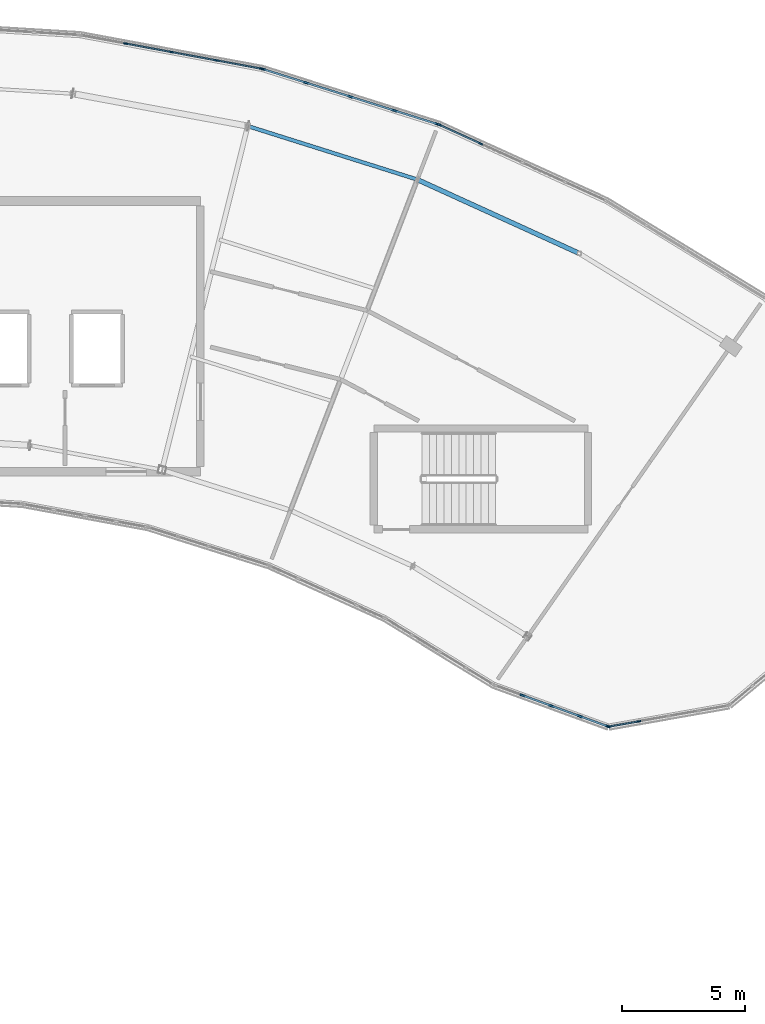
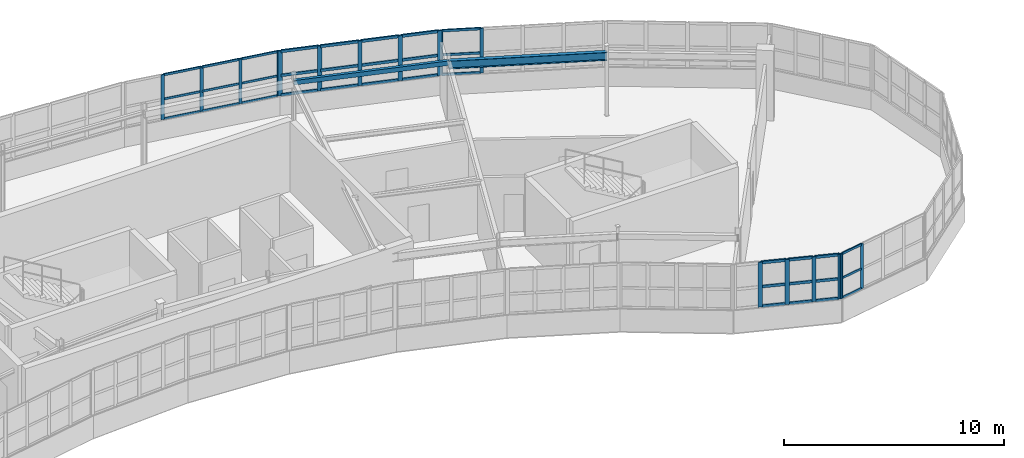
# One storey, part 33 of 60: 53 members, 2 beams, 5 elements without a shape of their own.
"""IFC4 building model written with IfcOpenShell, lengths in metres."""

import ifcopenshell
import ifcopenshell.guid

model = None  # the IFC model being written
_history = None  # IfcOwnerHistory: only IFC2X3 demands one
_inside = {}  # id of a spatial element -> (the spatial element, [elements in it])
_under = {}  # id of a project, library or spatial element -> (it, [spatial elements below it])
_declared = {}  # id of a project -> (the project, [libraries it declares])
_typed = {}  # id of a type object -> (the type object, [elements of that type])
_made_of = {}  # id of a material, layer set ... -> (it, [elements and type objects made of it])


def new_model(schema):
    """Start an empty IFC model of exactly this schema.

    Asked for "IFC4X3", IfcOpenShell would pick the latest addendum, in which some entities
    have other attributes; the version numbers below select the first issue.
    IFC2X3 requires an IfcOwnerHistory on every rooted entity: one is made here for all.
    """
    global model, _history
    if schema == "IFC4X3":
        model = ifcopenshell.file(schema_version=(4, 3, 0, 0))
    else:
        model = ifcopenshell.file(schema=schema)
    _inside.clear()
    _under.clear()
    _declared.clear()
    _typed.clear()
    _made_of.clear()
    _history = None
    if model.schema == "IFC2X3":
        org = make("IfcOrganization", Name="unknown")
        user = make(
            "IfcPersonAndOrganization",
            ThePerson=make("IfcPerson", FamilyName="unknown"),
            TheOrganization=org,
        )
        app = make(
            "IfcApplication",
            ApplicationDeveloper=org,
            Version="unknown",
            ApplicationFullName="unknown",
            ApplicationIdentifier="unknown",
        )
        _history = make(
            "IfcOwnerHistory",
            OwningUser=user,
            OwningApplication=app,
            ChangeAction="ADDED",
            CreationDate=0,
        )
    return model


def make(cls, **values):
    """One entity of the class cls with the attributes given. An attribute that is None is left unset."""
    return model.create_entity(
        cls, **{name: value for name, value in values.items() if value is not None}
    )


def rooted(cls, **values):
    """An entity with a GlobalId (a new one), such as an element, a storey or a relation."""
    return make(cls, GlobalId=ifcopenshell.guid.new(), OwnerHistory=_history, **values)


def si_unit(unit_type, name, prefix=None):
    """IfcSIUnit, for example si_unit("LENGTHUNIT", "METRE", prefix="MILLI")."""
    return make("IfcSIUnit", UnitType=unit_type, Prefix=prefix, Name=name)


def assignment(units):
    """IfcUnitAssignment: the units of a project."""
    return None if units is None else make("IfcUnitAssignment", Units=units)


def point(xyz):
    """IfcCartesianPoint."""
    return None if xyz is None else make("IfcCartesianPoint", Coordinates=xyz)


def direction(xyz):
    """IfcDirection."""
    return None if xyz is None else make("IfcDirection", DirectionRatios=xyz)


def frame(location, z_axis=None, x_axis=None):
    """IfcAxis2Placement3D, a coordinate frame: its origin and axes. An axis left out is left unset."""
    return make(
        "IfcAxis2Placement3D",
        Location=point(location),
        Axis=direction(z_axis),
        RefDirection=direction(x_axis),
    )


def frame_2d(location, x_axis=None):
    """IfcAxis2Placement2D, a coordinate frame in the plane: its origin and x axis."""
    return make(
        "IfcAxis2Placement2D", Location=point(location), RefDirection=direction(x_axis)
    )


def origin():
    """The frame at (0, 0, 0) with its axes left unset."""
    return frame((0.0, 0.0, 0.0))


def origin_2d():
    """The frame at (0, 0) in the plane with its x axis left unset."""
    return frame_2d((0.0, 0.0))


def place(relative_to, where):
    """IfcLocalPlacement: puts the frame where relative to a parent placement (None: the world)."""
    return make(
        "IfcLocalPlacement", PlacementRelTo=relative_to, RelativePlacement=where
    )


def context(
    kind, dimensions, precision=None, world=None, true_north=None, identifier=None
):
    """IfcGeometricRepresentationContext, for example the 3D "Model" context."""
    return make(
        "IfcGeometricRepresentationContext",
        ContextIdentifier=identifier,
        ContextType=kind,
        CoordinateSpaceDimension=dimensions,
        Precision=precision,
        WorldCoordinateSystem=world,
        TrueNorth=true_north,
    )


def subcontext(parent, identifier, kind, view, scale=None):
    """IfcGeometricRepresentationSubContext, for example "Body" below "Model"."""
    return make(
        "IfcGeometricRepresentationSubContext",
        ContextIdentifier=identifier,
        ContextType=kind,
        ParentContext=parent,
        TargetScale=scale,
        TargetView=view,
    )


def project(units=None, contexts=None):
    """IfcProject with its units and contexts."""
    return rooted(
        "IfcProject",
        Name="project",
        RepresentationContexts=contexts,
        UnitsInContext=assignment(units),
    )


def spatial(cls, under=None, at=None, **own):
    """A site, building, storey or space (cls), placed at a placement, below another one or the project."""
    s = rooted(cls, ObjectPlacement=at, **own)
    if under is not None:
        _under.setdefault(under.id(), (under, []))[1].append(s)
    return s


def profile(cls, at=None, kind="AREA", **sizes):
    """A parametric profile (cls). Its sizes go by their IFC names, for example OverallWidth=200.0."""
    return make(cls, ProfileType=kind, Position=at, **sizes)


def rectangle(**sizes):
    """IfcRectangleProfileDef."""
    return profile("IfcRectangleProfileDef", **sizes)


def hollow_rectangle(**sizes):
    """IfcRectangleHollowProfileDef."""
    return profile("IfcRectangleHollowProfileDef", **sizes)


def i_section(**sizes):
    """IfcIShapeProfileDef."""
    return profile("IfcIShapeProfileDef", **sizes)


def extrude(swept, where, along, depth):
    """IfcExtrudedAreaSolid: the profile swept, set in the frame where, extruded along a direction by depth."""
    return make(
        "IfcExtrudedAreaSolid",
        SweptArea=swept,
        Position=where,
        ExtrudedDirection=direction(along),
        Depth=depth,
    )


def shape(context_of_items, identifier, shape_type, items):
    """IfcShapeRepresentation: the items that make up one representation, for example the "Body"."""
    return make(
        "IfcShapeRepresentation",
        ContextOfItems=context_of_items,
        RepresentationIdentifier=identifier,
        RepresentationType=shape_type,
        Items=items,
    )


def material(Name=None, Category=None):
    """IfcMaterial."""
    return make("IfcMaterial", Name=Name, Category=Category)


def layer(
    of_material, thickness, ventilated=None, Name=None, Category=None, Priority=None
):
    """IfcMaterialLayer: one layer of a wall or slab, of a material (None: an air gap)."""
    return make(
        "IfcMaterialLayer",
        Material=of_material,
        LayerThickness=thickness,
        IsVentilated=ventilated,
        Name=Name,
        Category=Category,
        Priority=Priority,
    )


def layer_set(layers, Name=None):
    """IfcMaterialLayerSet."""
    return make("IfcMaterialLayerSet", MaterialLayers=layers, LayerSetName=Name)


def material_profile(
    of_material, cross_section, Name=None, Category=None, Priority=None
):
    """IfcMaterialProfile: a cross section and its material."""
    return make(
        "IfcMaterialProfile",
        Name=Name,
        Material=of_material,
        Profile=cross_section,
        Priority=Priority,
        Category=Category,
    )


def profile_set(profiles, Name=None, composite=None):
    """IfcMaterialProfileSet."""
    return make(
        "IfcMaterialProfileSet",
        Name=Name,
        MaterialProfiles=profiles,
        CompositeProfile=composite,
    )


def made_of(thing, what):
    """Note that an element or type object is made of a material, layer set ...; save() writes the relation."""
    if what is not None:
        _made_of.setdefault(what.id(), (what, []))[1].append(thing)
    return thing


def type_object(cls, material=None, **own):
    """A type object (cls), such as IfcWallType, which elements share."""
    return made_of(rooted(cls, **own), material)


def element(
    cls,
    number,
    at=None,
    inside=None,
    cuts=None,
    type_object=None,
    material=None,
    context=None,
    identifier="Body",
    shape_type=None,
    held_by="IfcProductDefinitionShape",
    body=None,
    shapes=None,
    **own,
):
    """One element of the class cls, such as IfcWall. Its Tag is "e" and its number.

    at: its placement. inside: the storey or other place that contains it. cuts: it is an
    opening in that element (IfcRelVoidsElement). A single representation is given by context,
    identifier, shape_type and body (its items); several are given by shapes. held_by: the class
    of the entity that holds the representations. save() writes the other relations.
    """
    e = rooted(cls, Tag="e%d" % number, ObjectPlacement=at, **own)
    if body is not None:
        shapes = [shape(context, identifier, shape_type, body)]
    if shapes is not None:
        e.Representation = make(held_by, Representations=shapes)
    if inside is not None:
        _inside.setdefault(inside.id(), (inside, []))[1].append(e)
    if cuts is not None:
        rooted(
            "IfcRelVoidsElement", RelatingBuildingElement=cuts, RelatedOpeningElement=e
        )
    if type_object is not None:
        _typed.setdefault(type_object.id(), (type_object, []))[1].append(e)
    return made_of(e, material)


def aggregate(whole, parts):
    """IfcRelAggregates: a whole, such as a stair, and the parts it consists of."""
    return rooted("IfcRelAggregates", RelatingObject=whole, RelatedObjects=parts)


def save(model, path):
    """Write the relations noted so far, then the file.

    IfcRelAggregates (storeys below a building ...), IfcRelContainedInSpatialStructure (elements
    in a storey), IfcRelDefinesByType, IfcRelAssociatesMaterial and IfcRelDeclares: one each for
    every whole, place, type object, material and project.
    """
    for whole, parts in _under.values():
        aggregate(whole, parts)
    for where, things in _inside.values():
        rooted(
            "IfcRelContainedInSpatialStructure",
            RelatedElements=things,
            RelatingStructure=where,
        )
    for kind, things in _typed.values():
        rooted("IfcRelDefinesByType", RelatedObjects=things, RelatingType=kind)
    for what, things in _made_of.values():
        rooted("IfcRelAssociatesMaterial", RelatedObjects=things, RelatingMaterial=what)
    for by, libraries in _declared.values():
        rooted("IfcRelDeclares", RelatingContext=by, RelatedDefinitions=libraries)
    model.write(path)


model = new_model("IFC4")

# Units and contexts
model_context = context("Model", 3, precision=1e-05, world=origin(), true_north=direction((0.0, 1.0)))
body_context = subcontext(model_context, "Body", "Model", "MODEL_VIEW")
ifc_project = project(units=[si_unit("LENGTHUNIT", "METRE"), si_unit("AREAUNIT", "SQUARE_METRE"), si_unit("VOLUMEUNIT", "CUBIC_METRE"), si_unit("PLANEANGLEUNIT", "RADIAN"), si_unit("MASSUNIT", "GRAM", prefix="KILO")], contexts=[model_context])

# Site, building, storey
site_placement = place(None, origin())
site = spatial("IfcSite", under=ifc_project, at=site_placement, CompositionType="ELEMENT")
building_placement = place(site_placement, origin())
building = spatial("IfcBuilding", under=site, at=building_placement, Name="Tarnwether General Hospital", CompositionType="ELEMENT")
storey_placement = place(building_placement, frame((0.0, 0.0, 26.10009765625)))
storey = spatial("IfcBuildingStorey", under=building, at=storey_placement, Name="L06", CompositionType="ELEMENT", Elevation=26.10009765625)

# Beams
ifc_material_1 = material(Name="Steel Grade 350 (350 MPa)", Category="steel")
ifc_material_profile_1 = material_profile(ifc_material_1, i_section(OverallWidth=0.18994140625, OverallDepth=0.4541015625, WebThickness=0.008544921875, FlangeThickness=0.0126953125, at=origin_2d()), Name="460UB67.1")
ifc_profile_set_1 = profile_set([ifc_material_profile_1], Name="Steel Grade 350 (350 MPa)")
beam_type_1 = type_object("IfcBeamType", Name="BM-SP1", PredefinedType="SPANDREL", material=ifc_profile_set_1)
beam_1_placement = place(storey_placement, frame((113.215087890625, 118.26806640625, 3.31787109375), z_axis=(0.909943842177, -0.414731484316, 0.0), x_axis=(0.414731484316, 0.909943842177, 0.0)))
element("IfcBeam", 1, at=beam_1_placement, inside=storey, type_object=beam_type_1, Name="Curved Ward NW Outer Spandrel BMG-L06-11322_11827-11979_11527-2041", PredefinedType="SPANDREL", context=body_context, shape_type="SweptSolid", body=[
    extrude(i_section(OverallWidth=0.18994140625, OverallDepth=0.4541015625, WebThickness=0.008544921875, FlangeThickness=0.0126953125, at=origin_2d()), origin(), (0.0, 0.0, 1.0), 7.22900390625),
])
ifc_material_2 = material(Name="Steel Grade C350L0 (350 MPa)", Category="steel")
ifc_material_profile_2 = material_profile(ifc_material_2, hollow_rectangle(XDim=0.14990234375, YDim=0.25, WallThickness=0.008056640625, at=origin_2d()), Name="RHS250x150x8")
ifc_profile_set_2 = profile_set([ifc_material_profile_2], Name="Steel Grade C350L0 (350 MPa)")
beam_type_2 = type_object("IfcBeamType", Name="BM-SP8", PredefinedType="SPANDREL", material=ifc_profile_set_2)
beam_2_placement = place(storey_placement, frame((106.322021484375, 120.44189453125, 3.419921875), z_axis=(0.953698988948, -0.300762761125, 0.0), x_axis=(0.300762761125, 0.953698988948, 0.0)))
element("IfcBeam", 2, at=beam_2_placement, inside=storey, type_object=beam_type_2, Name="Curved Ward NW Outer Spandrel BMG-L06-10632_12044-11322_11827-2037", PredefinedType="SPANDREL", context=body_context, shape_type="SweptSolid", body=[
    extrude(hollow_rectangle(XDim=0.14990234375, YDim=0.25, WallThickness=0.008056640625, at=origin_2d()), origin(), (0.0, 0.0, 1.0), 7.227783203125),
])

# Curtain wall, members
ifc_material_3 = material(Name="Anodised aluminium", Category="aluminium")
ifc_layer_1 = layer(ifc_material_3, 0.159912109375)
ifc_layer_set_1 = layer_set([ifc_layer_1], Name="Anodised aluminium")
curtain_wall_type_1 = type_object("IfcCurtainWallType", Name="CW-04", PredefinedType="NOTDEFINED", material=ifc_layer_set_1)
curtain_wall_1_placement = place(storey_placement, origin())
curtain_wall_1 = element("IfcCurtainWall", 3, at=curtain_wall_1_placement, inside=storey, type_object=curtain_wall_type_1, Name="Curtain Wall CWG-L06-1259_969-0113", PredefinedType="NOTDEFINED")
ifc_material_4 = material(Name="Anodised aluminium", Category="aluminium")
ifc_material_profile_3 = material_profile(ifc_material_4, rectangle(XDim=0.06005859375, YDim=0.159912109375, at=origin_2d()), Name="ALU-MUL-60x160")
ifc_profile_set_3 = profile_set([ifc_material_profile_3], Name="Anodised aluminium")
member_type_1 = type_object("IfcMemberType", Name="CW-ML1", PredefinedType="MULLION", material=ifc_profile_set_3)
member_1_placement = place(storey_placement, frame((122.21240234375, 96.247802734375, 1.0498046875), z_axis=(0.0, 0.0, 1.0), x_axis=(0.173659059054, -0.984805834268, 0.0)))
member_1 = element("IfcMember", 4, at=member_1_placement, type_object=member_type_1, Name="CW-04 mullion 4", PredefinedType="MULLION", context=body_context, shape_type="SweptSolid", body=[
    extrude(rectangle(XDim=0.06005859375, YDim=0.159912109375, at=origin_2d()), origin(), (0.0, 0.0, 1.0), 2.4951171875),
])
member_2_placement = place(storey_placement, frame((121.0185546875, 96.037109375, 1.0498046875), z_axis=(0.0, 0.0, 1.0), x_axis=(0.173659059054, -0.984805834268, 0.0)))
member_2 = element("IfcMember", 5, at=member_2_placement, type_object=member_type_1, Name="CW-04 mullion 5", PredefinedType="MULLION", context=body_context, shape_type="SweptSolid", body=[
    extrude(rectangle(XDim=0.06005859375, YDim=0.159912109375, at=origin_2d()), origin(), (0.0, 0.0, 1.0), 2.4951171875),
])

ifc_material_5 = material(Name="Anodised aluminium", Category="aluminium")
ifc_layer_2 = layer(ifc_material_5, 0.179931640625)
ifc_layer_set_2 = layer_set([ifc_layer_2], Name="Anodised aluminium")
curtain_wall_type_2 = type_object("IfcCurtainWallType", Name="CW-06", PredefinedType="NOTDEFINED", material=ifc_layer_set_2)
curtain_wall_2_placement = place(storey_placement, origin())
curtain_wall_2 = element("IfcCurtainWall", 6, at=curtain_wall_2_placement, inside=storey, type_object=curtain_wall_type_2, Name="Curtain Wall CWG-L06-995_1241-0121", PredefinedType="NOTDEFINED")
member_3_placement = place(storey_placement, frame((101.355712890625, 123.79833984375, 1.0498046875), z_axis=(0.0, 0.0, 1.0), x_axis=(0.182289226614, 0.983244953132, 0.0)))
member_3 = element("IfcMember", 7, at=member_3_placement, type_object=member_type_1, Name="CW-06 mullion 2", PredefinedType="MULLION", context=body_context, shape_type="SweptSolid", body=[
    extrude(rectangle(XDim=0.06005859375, YDim=0.159912109375, at=origin_2d()), origin(), (0.0, 0.0, 1.0), 2.4951171875),
])
member_4_placement = place(storey_placement, frame((103.20458984375, 123.45556640625, 1.0498046875), z_axis=(0.0, 0.0, 1.0), x_axis=(0.182289226614, 0.983244953132, 0.0)))
member_4 = element("IfcMember", 8, at=member_4_placement, type_object=member_type_1, Name="CW-06 mullion 3", PredefinedType="MULLION", context=body_context, shape_type="SweptSolid", body=[
    extrude(rectangle(XDim=0.06005859375, YDim=0.159912109375, at=origin_2d()), origin(), (0.0, 0.0, 1.0), 2.4951171875),
])
member_5_placement = place(storey_placement, frame((105.05322265625, 123.11279296875, 1.0498046875), z_axis=(0.0, 0.0, 1.0), x_axis=(0.182289226614, 0.983244953132, 0.0)))
member_5 = element("IfcMember", 9, at=member_5_placement, type_object=member_type_1, Name="CW-06 mullion 4", PredefinedType="MULLION", context=body_context, shape_type="SweptSolid", body=[
    extrude(rectangle(XDim=0.06005859375, YDim=0.159912109375, at=origin_2d()), origin(), (0.0, 0.0, 1.0), 2.4951171875),
])
member_6_placement = place(storey_placement, frame((106.87255859375, 122.775390625, 1.0498046875), z_axis=(0.0, 0.0, 1.0), x_axis=(0.182289226614, 0.983244953132, 0.0)))
member_6 = element("IfcMember", 10, at=member_6_placement, type_object=member_type_1, Name="CW-06 mullion 5", PredefinedType="MULLION", context=body_context, shape_type="SweptSolid", body=[
    extrude(rectangle(XDim=0.06005859375, YDim=0.159912109375, at=origin_2d()), origin(), (0.0, 0.0, 1.0), 2.4951171875),
])

curtain_wall_3_placement = place(storey_placement, origin())
curtain_wall_3 = element("IfcCurtainWall", 11, at=curtain_wall_3_placement, inside=storey, type_object=curtain_wall_type_2, Name="Curtain Wall CWG-L06-1141_1205-0119", PredefinedType="NOTDEFINED")
ifc_material_6 = material(Name="Anodised aluminium", Category="aluminium")
ifc_material_profile_4 = material_profile(ifc_material_6, rectangle(XDim=0.06494140625, YDim=0.169921875, at=origin_2d()), Name="ALU-MUL-65x170")
ifc_profile_set_4 = profile_set([ifc_material_profile_4], Name="Anodised aluminium")
member_type_2 = type_object("IfcMemberType", Name="CW-ML3", PredefinedType="MULLION", material=ifc_profile_set_4)
member_7_placement = place(storey_placement, frame((114.1044921875, 120.49560546875, 1.0498046875), z_axis=(0.0, 0.0, 1.0), x_axis=(0.414694289316, 0.909960793886, 0.0)))
member_7 = element("IfcMember", 12, at=member_7_placement, type_object=member_type_2, Name="CW-06 mullion 1", PredefinedType="MULLION", context=body_context, shape_type="SweptSolid", body=[
    extrude(rectangle(XDim=0.06494140625, YDim=0.169921875, at=origin_2d()), origin(), (0.0, 0.0, 1.0), 2.4951171875),
])
member_8_placement = place(storey_placement, frame((115.785888671875, 119.729248046875, 1.0498046875), z_axis=(0.0, 0.0, 1.0), x_axis=(0.414694289316, 0.909960793886, 0.0)))
member_8 = element("IfcMember", 13, at=member_8_placement, type_object=member_type_2, Name="CW-06 mullion 2", PredefinedType="MULLION", context=body_context, shape_type="SweptSolid", body=[
    extrude(rectangle(XDim=0.06494140625, YDim=0.169921875, at=origin_2d()), origin(), (0.0, 0.0, 1.0), 2.4951171875),
])

curtain_wall_4_placement = place(storey_placement, origin())
curtain_wall_4 = element("IfcCurtainWall", 14, at=curtain_wall_4_placement, inside=storey, type_object=curtain_wall_type_1, Name="Curtain Wall CWG-L06-1210_960-0112", PredefinedType="NOTDEFINED")
ifc_material_7 = material(Name="Anodised aluminium", Category="aluminium")
ifc_material_profile_5 = material_profile(ifc_material_7, rectangle(XDim=0.080078125, YDim=0.199951171875, at=origin_2d()), Name="ALU-MUL-80x200")
ifc_profile_set_5 = profile_set([ifc_material_profile_5], Name="Anodised aluminium")
member_type_3 = type_object("IfcMemberType", Name="CW-ML4", PredefinedType="MULLION", material=ifc_profile_set_5)
member_9_placement = place(storey_placement, frame((120.951416015625, 96.045654296875, 1.0498046875), z_axis=(0.0, 0.0, 1.0), x_axis=(-0.342130850834, -0.939652319163, 0.0)))
member_9 = element("IfcMember", 15, at=member_9_placement, type_object=member_type_3, Name="CW-04 mullion 1", PredefinedType="MULLION", context=body_context, shape_type="SweptSolid", body=[
    extrude(rectangle(XDim=0.080078125, YDim=0.199951171875, at=origin_2d()), origin(), (0.0, 0.0, 1.0), 2.4951171875),
])
member_10_placement = place(storey_placement, frame((119.82177734375, 96.45703125, 1.0498046875), z_axis=(0.0, 0.0, 1.0), x_axis=(-0.342130850834, -0.939652319163, 0.0)))
member_10 = element("IfcMember", 16, at=member_10_placement, type_object=member_type_3, Name="CW-04 mullion 2", PredefinedType="MULLION", context=body_context, shape_type="SweptSolid", body=[
    extrude(rectangle(XDim=0.080078125, YDim=0.199951171875, at=origin_2d()), origin(), (0.0, 0.0, 1.0), 2.4951171875),
])
member_11_placement = place(storey_placement, frame((118.654541015625, 96.882080078125, 1.0498046875), z_axis=(0.0, 0.0, 1.0), x_axis=(-0.342130850834, -0.939652319163, 0.0)))
member_11 = element("IfcMember", 17, at=member_11_placement, type_object=member_type_3, Name="CW-04 mullion 3", PredefinedType="MULLION", context=body_context, shape_type="SweptSolid", body=[
    extrude(rectangle(XDim=0.080078125, YDim=0.199951171875, at=origin_2d()), origin(), (0.0, 0.0, 1.0), 2.4951171875),
])
member_12_placement = place(storey_placement, frame((117.4873046875, 97.306884765625, 1.0498046875), z_axis=(0.0, 0.0, 1.0), x_axis=(-0.342130850834, -0.939652319163, 0.0)))
member_12 = element("IfcMember", 18, at=member_12_placement, type_object=member_type_3, Name="CW-04 mullion 4", PredefinedType="MULLION", context=body_context, shape_type="SweptSolid", body=[
    extrude(rectangle(XDim=0.080078125, YDim=0.199951171875, at=origin_2d()), origin(), (0.0, 0.0, 1.0), 2.4951171875),
])

curtain_wall_5_placement = place(storey_placement, origin())
curtain_wall_5 = element("IfcCurtainWall", 19, at=curtain_wall_5_placement, inside=storey, type_object=curtain_wall_type_2, Name="Curtain Wall CWG-L06-1069_1228-0120", PredefinedType="NOTDEFINED")
member_13_placement = place(storey_placement, frame((106.940185546875, 122.758056640625, 1.0498046875), z_axis=(0.0, 0.0, 1.0), x_axis=(0.300628613299, 0.953741284032, 0.0)))
member_13 = element("IfcMember", 20, at=member_13_placement, type_object=member_type_3, Name="CW-06 mullion 1", PredefinedType="MULLION", context=body_context, shape_type="SweptSolid", body=[
    extrude(rectangle(XDim=0.080078125, YDim=0.199951171875, at=origin_2d()), origin(), (0.0, 0.0, 1.0), 2.4951171875),
])
member_14_placement = place(storey_placement, frame((108.6953125, 122.204833984375, 1.0498046875), z_axis=(0.0, 0.0, 1.0), x_axis=(0.300628613299, 0.953741284032, 0.0)))
member_14 = element("IfcMember", 21, at=member_14_placement, type_object=member_type_3, Name="CW-06 mullion 2", PredefinedType="MULLION", context=body_context, shape_type="SweptSolid", body=[
    extrude(rectangle(XDim=0.080078125, YDim=0.199951171875, at=origin_2d()), origin(), (0.0, 0.0, 1.0), 2.4951171875),
])
member_15_placement = place(storey_placement, frame((110.488525390625, 121.639404296875, 1.0498046875), z_axis=(0.0, 0.0, 1.0), x_axis=(0.300628613299, 0.953741284032, 0.0)))
member_15 = element("IfcMember", 22, at=member_15_placement, type_object=member_type_3, Name="CW-06 mullion 3", PredefinedType="MULLION", context=body_context, shape_type="SweptSolid", body=[
    extrude(rectangle(XDim=0.080078125, YDim=0.199951171875, at=origin_2d()), origin(), (0.0, 0.0, 1.0), 2.4951171875),
])
member_16_placement = place(storey_placement, frame((112.28173828125, 121.07421875, 1.0498046875), z_axis=(0.0, 0.0, 1.0), x_axis=(0.300628613299, 0.953741284032, 0.0)))
member_16 = element("IfcMember", 23, at=member_16_placement, type_object=member_type_3, Name="CW-06 mullion 4", PredefinedType="MULLION", context=body_context, shape_type="SweptSolid", body=[
    extrude(rectangle(XDim=0.080078125, YDim=0.199951171875, at=origin_2d()), origin(), (0.0, 0.0, 1.0), 2.4951171875),
])
member_17_placement = place(storey_placement, frame((114.036865234375, 120.52099609375, 1.0498046875), z_axis=(0.0, 0.0, 1.0), x_axis=(0.300628613299, 0.953741284032, 0.0)))
member_17 = element("IfcMember", 24, at=member_17_placement, type_object=member_type_3, Name="CW-06 mullion 5", PredefinedType="MULLION", context=body_context, shape_type="SweptSolid", body=[
    extrude(rectangle(XDim=0.080078125, YDim=0.199951171875, at=origin_2d()), origin(), (0.0, 0.0, 1.0), 2.4951171875),
])

# Member
ifc_material_8 = material(Name="Anodised aluminium", Category="aluminium")
ifc_material_profile_6 = material_profile(ifc_material_8, rectangle(XDim=0.06005859375, YDim=0.1201171875, at=origin_2d()), Name="ALU-TRN-60x120")
ifc_profile_set_6 = profile_set([ifc_material_profile_6], Name="Anodised aluminium")
member_type_4 = type_object("IfcMemberType", Name="CW-TR1", PredefinedType="USERDEFINED", material=ifc_profile_set_6)
member_18_placement = place(storey_placement, frame((122.182861328125, 96.242431640625, 1.079833984375), z_axis=(-0.984828319986, -0.173531496142, 0.0), x_axis=(0.173531496142, -0.984828319986, 0.0)))
member_18 = element("IfcMember", 25, at=member_18_placement, type_object=member_type_4, Name="CW-04 transom 4.1", ObjectType="TRANSOM", PredefinedType="USERDEFINED", context=body_context, shape_type="SweptSolid", body=[
    extrude(rectangle(XDim=0.06005859375, YDim=0.1201171875, at=origin_2d()), origin(), (0.0, 0.0, 1.0), 1.15234375),
])

member_19_placement = place(storey_placement, frame((122.182861328125, 96.242431640625, 2.172607421875), z_axis=(-0.984828319986, -0.173531496142, 0.0), x_axis=(0.173531496142, -0.984828319986, 0.0)))
member_19 = element("IfcMember", 26, at=member_19_placement, type_object=member_type_4, Name="CW-04 transom 4.2", ObjectType="TRANSOM", PredefinedType="USERDEFINED", context=body_context, shape_type="SweptSolid", body=[
    extrude(rectangle(XDim=0.06005859375, YDim=0.1201171875, at=origin_2d()), origin(), (0.0, 0.0, 1.0), 1.15234375),
])

member_20_placement = place(storey_placement, frame((122.182861328125, 96.242431640625, 3.514892578125), z_axis=(-0.984828319986, -0.173531496142, 0.0), x_axis=(0.173531496142, -0.984828319986, 0.0)))
member_20 = element("IfcMember", 27, at=member_20_placement, type_object=member_type_4, Name="CW-04 transom 4.3", ObjectType="TRANSOM", PredefinedType="USERDEFINED", context=body_context, shape_type="SweptSolid", body=[
    extrude(rectangle(XDim=0.06005859375, YDim=0.1201171875, at=origin_2d()), origin(), (0.0, 0.0, 1.0), 1.15234375),
])

aggregate(curtain_wall_1, [member_1, member_2, member_18, member_19, member_20])

member_21_placement = place(storey_placement, frame((101.38525390625, 123.792724609375, 1.079833984375), z_axis=(0.983248190733, -0.182271762543, 0.0), x_axis=(0.182271762543, 0.983248190733, 0.0)))
member_21 = element("IfcMember", 28, at=member_21_placement, type_object=member_type_4, Name="CW-06 transom 2.1", ObjectType="TRANSOM", PredefinedType="USERDEFINED", context=body_context, shape_type="SweptSolid", body=[
    extrude(rectangle(XDim=0.06005859375, YDim=0.1201171875, at=origin_2d()), origin(), (0.0, 0.0, 1.0), 1.8203125),
])

member_22_placement = place(storey_placement, frame((101.38525390625, 123.792724609375, 2.172607421875), z_axis=(0.983248190733, -0.182271762543, 0.0), x_axis=(0.182271762543, 0.983248190733, 0.0)))
member_22 = element("IfcMember", 29, at=member_22_placement, type_object=member_type_4, Name="CW-06 transom 2.2", ObjectType="TRANSOM", PredefinedType="USERDEFINED", context=body_context, shape_type="SweptSolid", body=[
    extrude(rectangle(XDim=0.06005859375, YDim=0.1201171875, at=origin_2d()), origin(), (0.0, 0.0, 1.0), 1.8203125),
])

member_23_placement = place(storey_placement, frame((101.38525390625, 123.792724609375, 3.514892578125), z_axis=(0.983248190733, -0.182271762543, 0.0), x_axis=(0.182271762543, 0.983248190733, 0.0)))
member_23 = element("IfcMember", 30, at=member_23_placement, type_object=member_type_4, Name="CW-06 transom 2.3", ObjectType="TRANSOM", PredefinedType="USERDEFINED", context=body_context, shape_type="SweptSolid", body=[
    extrude(rectangle(XDim=0.06005859375, YDim=0.1201171875, at=origin_2d()), origin(), (0.0, 0.0, 1.0), 1.8203125),
])

member_24_placement = place(storey_placement, frame((103.23388671875, 123.449951171875, 1.079833984375), z_axis=(0.983248190733, -0.182271762543, 0.0), x_axis=(0.182271762543, 0.983248190733, 0.0)))
member_24 = element("IfcMember", 31, at=member_24_placement, type_object=member_type_4, Name="CW-06 transom 3.1", ObjectType="TRANSOM", PredefinedType="USERDEFINED", context=body_context, shape_type="SweptSolid", body=[
    extrude(rectangle(XDim=0.06005859375, YDim=0.1201171875, at=origin_2d()), origin(), (0.0, 0.0, 1.0), 1.8203125),
])

member_25_placement = place(storey_placement, frame((103.23388671875, 123.449951171875, 2.172607421875), z_axis=(0.983248190733, -0.182271762543, 0.0), x_axis=(0.182271762543, 0.983248190733, 0.0)))
member_25 = element("IfcMember", 32, at=member_25_placement, type_object=member_type_4, Name="CW-06 transom 3.2", ObjectType="TRANSOM", PredefinedType="USERDEFINED", context=body_context, shape_type="SweptSolid", body=[
    extrude(rectangle(XDim=0.06005859375, YDim=0.1201171875, at=origin_2d()), origin(), (0.0, 0.0, 1.0), 1.8203125),
])

member_26_placement = place(storey_placement, frame((103.23388671875, 123.449951171875, 3.514892578125), z_axis=(0.983248190733, -0.182271762543, 0.0), x_axis=(0.182271762543, 0.983248190733, 0.0)))
member_26 = element("IfcMember", 33, at=member_26_placement, type_object=member_type_4, Name="CW-06 transom 3.3", ObjectType="TRANSOM", PredefinedType="USERDEFINED", context=body_context, shape_type="SweptSolid", body=[
    extrude(rectangle(XDim=0.06005859375, YDim=0.1201171875, at=origin_2d()), origin(), (0.0, 0.0, 1.0), 1.8203125),
])

member_27_placement = place(storey_placement, frame((105.082763671875, 123.107177734375, 1.079833984375), z_axis=(0.983262103591, -0.182196694923, 0.0), x_axis=(0.182196694923, 0.983262103591, 0.0)))
member_27 = element("IfcMember", 34, at=member_27_placement, type_object=member_type_4, Name="CW-06 transom 4.1", ObjectType="TRANSOM", PredefinedType="USERDEFINED", context=body_context, shape_type="SweptSolid", body=[
    extrude(rectangle(XDim=0.06005859375, YDim=0.1201171875, at=origin_2d()), origin(), (0.0, 0.0, 1.0), 1.790283203125),
])

member_28_placement = place(storey_placement, frame((105.082763671875, 123.107177734375, 2.172607421875), z_axis=(0.983262103591, -0.182196694923, 0.0), x_axis=(0.182196694923, 0.983262103591, 0.0)))
member_28 = element("IfcMember", 35, at=member_28_placement, type_object=member_type_4, Name="CW-06 transom 4.2", ObjectType="TRANSOM", PredefinedType="USERDEFINED", context=body_context, shape_type="SweptSolid", body=[
    extrude(rectangle(XDim=0.06005859375, YDim=0.1201171875, at=origin_2d()), origin(), (0.0, 0.0, 1.0), 1.790283203125),
])

member_29_placement = place(storey_placement, frame((105.082763671875, 123.107177734375, 3.514892578125), z_axis=(0.983262103591, -0.182196694923, 0.0), x_axis=(0.182196694923, 0.983262103591, 0.0)))
member_29 = element("IfcMember", 36, at=member_29_placement, type_object=member_type_4, Name="CW-06 transom 4.3", ObjectType="TRANSOM", PredefinedType="USERDEFINED", context=body_context, shape_type="SweptSolid", body=[
    extrude(rectangle(XDim=0.06005859375, YDim=0.1201171875, at=origin_2d()), origin(), (0.0, 0.0, 1.0), 1.790283203125),
])

aggregate(curtain_wall_2, [member_3, member_4, member_5, member_6, member_21, member_22, member_23, member_24, member_25, member_26, member_27, member_28, member_29])

ifc_material_9 = material(Name="Anodised aluminium", Category="aluminium")
ifc_material_profile_7 = material_profile(ifc_material_9, rectangle(XDim=0.06494140625, YDim=0.1298828125, at=origin_2d()), Name="ALU-TRN-65x130")
ifc_profile_set_7 = profile_set([ifc_material_profile_7], Name="Anodised aluminium")
member_type_5 = type_object("IfcMemberType", Name="CW-TR3", PredefinedType="USERDEFINED", material=ifc_profile_set_7)
member_30_placement = place(storey_placement, frame((114.134033203125, 120.48193359375, 1.08251953125), z_axis=(0.909976822928, -0.414659115098, 0.0), x_axis=(0.414659115098, 0.909976822928, 0.0)))
member_30 = element("IfcMember", 37, at=member_30_placement, type_object=member_type_5, Name="CW-06 transom 1.1", ObjectType="TRANSOM", PredefinedType="USERDEFINED", context=body_context, shape_type="SweptSolid", body=[
    extrude(rectangle(XDim=0.06494140625, YDim=0.1298828125, at=origin_2d()), origin(), (0.0, 0.0, 1.0), 1.78271484375),
])

member_31_placement = place(storey_placement, frame((114.134033203125, 120.48193359375, 2.172607421875), z_axis=(0.909976822928, -0.414659115098, 0.0), x_axis=(0.414659115098, 0.909976822928, 0.0)))
member_31 = element("IfcMember", 38, at=member_31_placement, type_object=member_type_5, Name="CW-06 transom 1.2", ObjectType="TRANSOM", PredefinedType="USERDEFINED", context=body_context, shape_type="SweptSolid", body=[
    extrude(rectangle(XDim=0.06494140625, YDim=0.1298828125, at=origin_2d()), origin(), (0.0, 0.0, 1.0), 1.78271484375),
])

member_32_placement = place(storey_placement, frame((114.134033203125, 120.48193359375, 3.512451171875), z_axis=(0.909976822928, -0.414659115098, 0.0), x_axis=(0.414659115098, 0.909976822928, 0.0)))
member_32 = element("IfcMember", 39, at=member_32_placement, type_object=member_type_5, Name="CW-06 transom 1.3", ObjectType="TRANSOM", PredefinedType="USERDEFINED", context=body_context, shape_type="SweptSolid", body=[
    extrude(rectangle(XDim=0.06494140625, YDim=0.1298828125, at=origin_2d()), origin(), (0.0, 0.0, 1.0), 1.78271484375),
])

aggregate(curtain_wall_3, [member_7, member_8, member_30, member_31, member_32])

ifc_material_10 = material(Name="Anodised aluminium", Category="aluminium")
ifc_material_profile_8 = material_profile(ifc_material_10, rectangle(XDim=0.080078125, YDim=0.14990234375, at=origin_2d()), Name="ALU-TRN-80x150")
ifc_profile_set_8 = profile_set([ifc_material_profile_8], Name="Anodised aluminium")
member_type_6 = type_object("IfcMemberType", Name="CW-TR4", PredefinedType="USERDEFINED", material=ifc_profile_set_8)
member_33_placement = place(storey_placement, frame((120.913818359375, 96.059326171875, 1.08984375), z_axis=(-0.939621801611, 0.342214654766, 0.0), x_axis=(-0.342214654766, -0.939621801611, 0.0)))
member_33 = element("IfcMember", 40, at=member_33_placement, type_object=member_type_6, Name="CW-04 transom 1.1", ObjectType="TRANSOM", PredefinedType="USERDEFINED", context=body_context, shape_type="SweptSolid", body=[
    extrude(rectangle(XDim=0.080078125, YDim=0.14990234375, at=origin_2d()), origin(), (0.0, 0.0, 1.0), 1.122314453125),
])

member_34_placement = place(storey_placement, frame((120.913818359375, 96.059326171875, 2.172607421875), z_axis=(-0.939621801611, 0.342214654766, 0.0), x_axis=(-0.342214654766, -0.939621801611, 0.0)))
member_34 = element("IfcMember", 41, at=member_34_placement, type_object=member_type_6, Name="CW-04 transom 1.2", ObjectType="TRANSOM", PredefinedType="USERDEFINED", context=body_context, shape_type="SweptSolid", body=[
    extrude(rectangle(XDim=0.080078125, YDim=0.14990234375, at=origin_2d()), origin(), (0.0, 0.0, 1.0), 1.122314453125),
])

member_35_placement = place(storey_placement, frame((120.913818359375, 96.059326171875, 3.5048828125), z_axis=(-0.939621801611, 0.342214654766, 0.0), x_axis=(-0.342214654766, -0.939621801611, 0.0)))
member_35 = element("IfcMember", 42, at=member_35_placement, type_object=member_type_6, Name="CW-04 transom 1.3", ObjectType="TRANSOM", PredefinedType="USERDEFINED", context=body_context, shape_type="SweptSolid", body=[
    extrude(rectangle(XDim=0.080078125, YDim=0.14990234375, at=origin_2d()), origin(), (0.0, 0.0, 1.0), 1.122314453125),
])

member_36_placement = place(storey_placement, frame((119.7841796875, 96.470703125, 1.08984375), z_axis=(-0.939627713237, 0.342198422728, 0.0), x_axis=(-0.342198422728, -0.939627713237, 0.0)))
member_36 = element("IfcMember", 43, at=member_36_placement, type_object=member_type_6, Name="CW-04 transom 2.1", ObjectType="TRANSOM", PredefinedType="USERDEFINED", context=body_context, shape_type="SweptSolid", body=[
    extrude(rectangle(XDim=0.080078125, YDim=0.14990234375, at=origin_2d()), origin(), (0.0, 0.0, 1.0), 1.162109375),
])

member_37_placement = place(storey_placement, frame((119.7841796875, 96.470703125, 2.172607421875), z_axis=(-0.939627713237, 0.342198422728, 0.0), x_axis=(-0.342198422728, -0.939627713237, 0.0)))
member_37 = element("IfcMember", 44, at=member_37_placement, type_object=member_type_6, Name="CW-04 transom 2.2", ObjectType="TRANSOM", PredefinedType="USERDEFINED", context=body_context, shape_type="SweptSolid", body=[
    extrude(rectangle(XDim=0.080078125, YDim=0.14990234375, at=origin_2d()), origin(), (0.0, 0.0, 1.0), 1.162109375),
])

member_38_placement = place(storey_placement, frame((119.7841796875, 96.470703125, 3.5048828125), z_axis=(-0.939627713237, 0.342198422728, 0.0), x_axis=(-0.342198422728, -0.939627713237, 0.0)))
member_38 = element("IfcMember", 45, at=member_38_placement, type_object=member_type_6, Name="CW-04 transom 2.3", ObjectType="TRANSOM", PredefinedType="USERDEFINED", context=body_context, shape_type="SweptSolid", body=[
    extrude(rectangle(XDim=0.080078125, YDim=0.14990234375, at=origin_2d()), origin(), (0.0, 0.0, 1.0), 1.162109375),
])

member_39_placement = place(storey_placement, frame((118.616943359375, 96.895751953125, 1.08984375), z_axis=(-0.939695244401, 0.342012934917, 0.0), x_axis=(-0.342012934917, -0.939695244401, 0.0)))
member_39 = element("IfcMember", 46, at=member_39_placement, type_object=member_type_6, Name="CW-04 transom 3.1", ObjectType="TRANSOM", PredefinedType="USERDEFINED", context=body_context, shape_type="SweptSolid", body=[
    extrude(rectangle(XDim=0.080078125, YDim=0.14990234375, at=origin_2d()), origin(), (0.0, 0.0, 1.0), 1.162109375),
])

member_40_placement = place(storey_placement, frame((118.616943359375, 96.895751953125, 2.172607421875), z_axis=(-0.939695244401, 0.342012934917, 0.0), x_axis=(-0.342012934917, -0.939695244401, 0.0)))
member_40 = element("IfcMember", 47, at=member_40_placement, type_object=member_type_6, Name="CW-04 transom 3.2", ObjectType="TRANSOM", PredefinedType="USERDEFINED", context=body_context, shape_type="SweptSolid", body=[
    extrude(rectangle(XDim=0.080078125, YDim=0.14990234375, at=origin_2d()), origin(), (0.0, 0.0, 1.0), 1.162109375),
])

member_41_placement = place(storey_placement, frame((118.616943359375, 96.895751953125, 3.5048828125), z_axis=(-0.939695244401, 0.342012934917, 0.0), x_axis=(-0.342012934917, -0.939695244401, 0.0)))
member_41 = element("IfcMember", 48, at=member_41_placement, type_object=member_type_6, Name="CW-04 transom 3.3", ObjectType="TRANSOM", PredefinedType="USERDEFINED", context=body_context, shape_type="SweptSolid", body=[
    extrude(rectangle(XDim=0.080078125, YDim=0.14990234375, at=origin_2d()), origin(), (0.0, 0.0, 1.0), 1.162109375),
])

aggregate(curtain_wall_4, [member_9, member_10, member_11, member_12, member_33, member_34, member_35, member_36, member_37, member_38, member_39, member_40, member_41])

member_42_placement = place(storey_placement, frame((106.978271484375, 122.745849609375, 1.08984375), z_axis=(0.953756502438, -0.300580328793, 0.0), x_axis=(0.300580328793, 0.953756502438, 0.0)))
member_42 = element("IfcMember", 49, at=member_42_placement, type_object=member_type_6, Name="CW-06 transom 1.1", ObjectType="TRANSOM", PredefinedType="USERDEFINED", context=body_context, shape_type="SweptSolid", body=[
    extrude(rectangle(XDim=0.080078125, YDim=0.14990234375, at=origin_2d()), origin(), (0.0, 0.0, 1.0), 1.760009765625),
])

member_43_placement = place(storey_placement, frame((106.978271484375, 122.745849609375, 2.172607421875), z_axis=(0.953756502438, -0.300580328793, 0.0), x_axis=(0.300580328793, 0.953756502438, 0.0)))
member_43 = element("IfcMember", 50, at=member_43_placement, type_object=member_type_6, Name="CW-06 transom 1.2", ObjectType="TRANSOM", PredefinedType="USERDEFINED", context=body_context, shape_type="SweptSolid", body=[
    extrude(rectangle(XDim=0.080078125, YDim=0.14990234375, at=origin_2d()), origin(), (0.0, 0.0, 1.0), 1.760009765625),
])

member_44_placement = place(storey_placement, frame((106.978271484375, 122.745849609375, 3.5048828125), z_axis=(0.953756502438, -0.300580328793, 0.0), x_axis=(0.300580328793, 0.953756502438, 0.0)))
member_44 = element("IfcMember", 51, at=member_44_placement, type_object=member_type_6, Name="CW-06 transom 1.3", ObjectType="TRANSOM", PredefinedType="USERDEFINED", context=body_context, shape_type="SweptSolid", body=[
    extrude(rectangle(XDim=0.080078125, YDim=0.14990234375, at=origin_2d()), origin(), (0.0, 0.0, 1.0), 1.760009765625),
])

member_45_placement = place(storey_placement, frame((108.7333984375, 122.192626953125, 1.08984375), z_axis=(0.953775131041, -0.300521212909, 0.0), x_axis=(0.300521212909, 0.953775131041, 0.0)))
member_45 = element("IfcMember", 52, at=member_45_placement, type_object=member_type_6, Name="CW-06 transom 2.1", ObjectType="TRANSOM", PredefinedType="USERDEFINED", context=body_context, shape_type="SweptSolid", body=[
    extrude(rectangle(XDim=0.080078125, YDim=0.14990234375, at=origin_2d()), origin(), (0.0, 0.0, 1.0), 1.80029296875),
])

member_46_placement = place(storey_placement, frame((108.7333984375, 122.192626953125, 2.172607421875), z_axis=(0.953775131041, -0.300521212909, 0.0), x_axis=(0.300521212909, 0.953775131041, 0.0)))
member_46 = element("IfcMember", 53, at=member_46_placement, type_object=member_type_6, Name="CW-06 transom 2.2", ObjectType="TRANSOM", PredefinedType="USERDEFINED", context=body_context, shape_type="SweptSolid", body=[
    extrude(rectangle(XDim=0.080078125, YDim=0.14990234375, at=origin_2d()), origin(), (0.0, 0.0, 1.0), 1.80029296875),
])

member_47_placement = place(storey_placement, frame((108.7333984375, 122.192626953125, 3.5048828125), z_axis=(0.953775131041, -0.300521212909, 0.0), x_axis=(0.300521212909, 0.953775131041, 0.0)))
member_47 = element("IfcMember", 54, at=member_47_placement, type_object=member_type_6, Name="CW-06 transom 2.3", ObjectType="TRANSOM", PredefinedType="USERDEFINED", context=body_context, shape_type="SweptSolid", body=[
    extrude(rectangle(XDim=0.080078125, YDim=0.14990234375, at=origin_2d()), origin(), (0.0, 0.0, 1.0), 1.80029296875),
])

member_48_placement = place(storey_placement, frame((110.526611328125, 121.62744140625, 1.08984375), z_axis=(0.953736253577, -0.300644571901, 0.0), x_axis=(0.300644571901, 0.953736253577, 0.0)))
member_48 = element("IfcMember", 55, at=member_48_placement, type_object=member_type_6, Name="CW-06 transom 3.1", ObjectType="TRANSOM", PredefinedType="USERDEFINED", context=body_context, shape_type="SweptSolid", body=[
    extrude(rectangle(XDim=0.080078125, YDim=0.14990234375, at=origin_2d()), origin(), (0.0, 0.0, 1.0), 1.80029296875),
])

member_49_placement = place(storey_placement, frame((110.526611328125, 121.62744140625, 2.172607421875), z_axis=(0.953736253577, -0.300644571901, 0.0), x_axis=(0.300644571901, 0.953736253577, 0.0)))
member_49 = element("IfcMember", 56, at=member_49_placement, type_object=member_type_6, Name="CW-06 transom 3.2", ObjectType="TRANSOM", PredefinedType="USERDEFINED", context=body_context, shape_type="SweptSolid", body=[
    extrude(rectangle(XDim=0.080078125, YDim=0.14990234375, at=origin_2d()), origin(), (0.0, 0.0, 1.0), 1.80029296875),
])

member_50_placement = place(storey_placement, frame((110.526611328125, 121.62744140625, 3.5048828125), z_axis=(0.953736253577, -0.300644571901, 0.0), x_axis=(0.300644571901, 0.953736253577, 0.0)))
member_50 = element("IfcMember", 57, at=member_50_placement, type_object=member_type_6, Name="CW-06 transom 3.3", ObjectType="TRANSOM", PredefinedType="USERDEFINED", context=body_context, shape_type="SweptSolid", body=[
    extrude(rectangle(XDim=0.080078125, YDim=0.14990234375, at=origin_2d()), origin(), (0.0, 0.0, 1.0), 1.80029296875),
])

member_51_placement = place(storey_placement, frame((112.31982421875, 121.062255859375, 1.08984375), z_axis=(0.953729270447, -0.300666723619, 0.0), x_axis=(0.300666723619, 0.953729270447, 0.0)))
member_51 = element("IfcMember", 58, at=member_51_placement, type_object=member_type_6, Name="CW-06 transom 4.1", ObjectType="TRANSOM", PredefinedType="USERDEFINED", context=body_context, shape_type="SweptSolid", body=[
    extrude(rectangle(XDim=0.080078125, YDim=0.14990234375, at=origin_2d()), origin(), (0.0, 0.0, 1.0), 1.760498046875),
])

member_52_placement = place(storey_placement, frame((112.31982421875, 121.062255859375, 2.172607421875), z_axis=(0.953729270447, -0.300666723619, 0.0), x_axis=(0.300666723619, 0.953729270447, 0.0)))
member_52 = element("IfcMember", 59, at=member_52_placement, type_object=member_type_6, Name="CW-06 transom 4.2", ObjectType="TRANSOM", PredefinedType="USERDEFINED", context=body_context, shape_type="SweptSolid", body=[
    extrude(rectangle(XDim=0.080078125, YDim=0.14990234375, at=origin_2d()), origin(), (0.0, 0.0, 1.0), 1.760498046875),
])

member_53_placement = place(storey_placement, frame((112.31982421875, 121.062255859375, 3.5048828125), z_axis=(0.953729270447, -0.300666723619, 0.0), x_axis=(0.300666723619, 0.953729270447, 0.0)))
member_53 = element("IfcMember", 60, at=member_53_placement, type_object=member_type_6, Name="CW-06 transom 4.3", ObjectType="TRANSOM", PredefinedType="USERDEFINED", context=body_context, shape_type="SweptSolid", body=[
    extrude(rectangle(XDim=0.080078125, YDim=0.14990234375, at=origin_2d()), origin(), (0.0, 0.0, 1.0), 1.760498046875),
])

aggregate(curtain_wall_5, [member_13, member_14, member_15, member_16, member_17, member_42, member_43, member_44, member_45, member_46, member_47, member_48, member_49, member_50, member_51, member_52, member_53])

save(model, "model.ifc")
